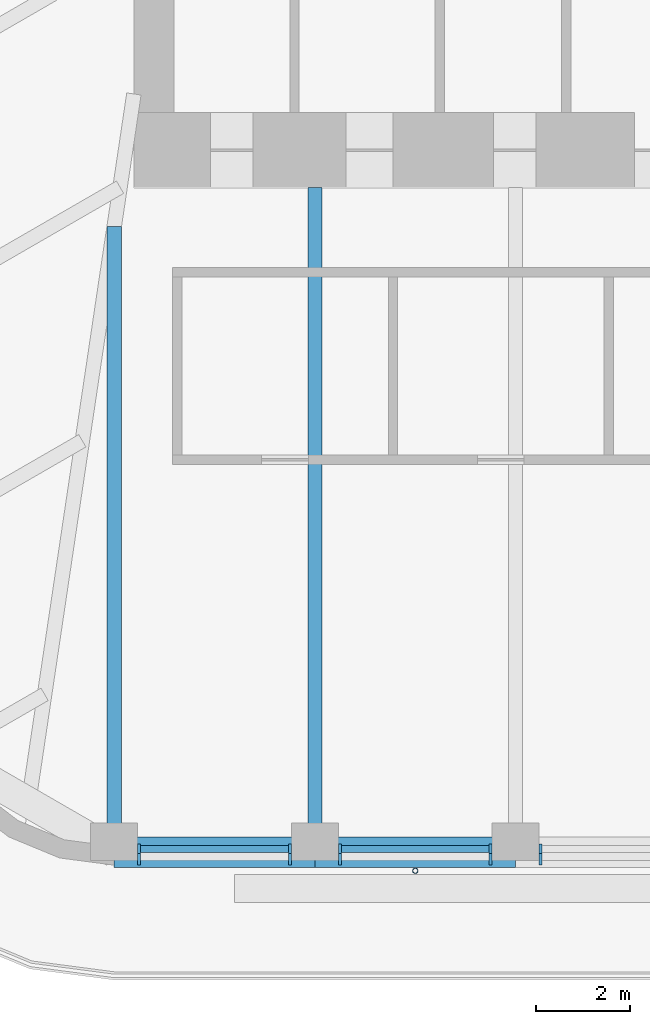
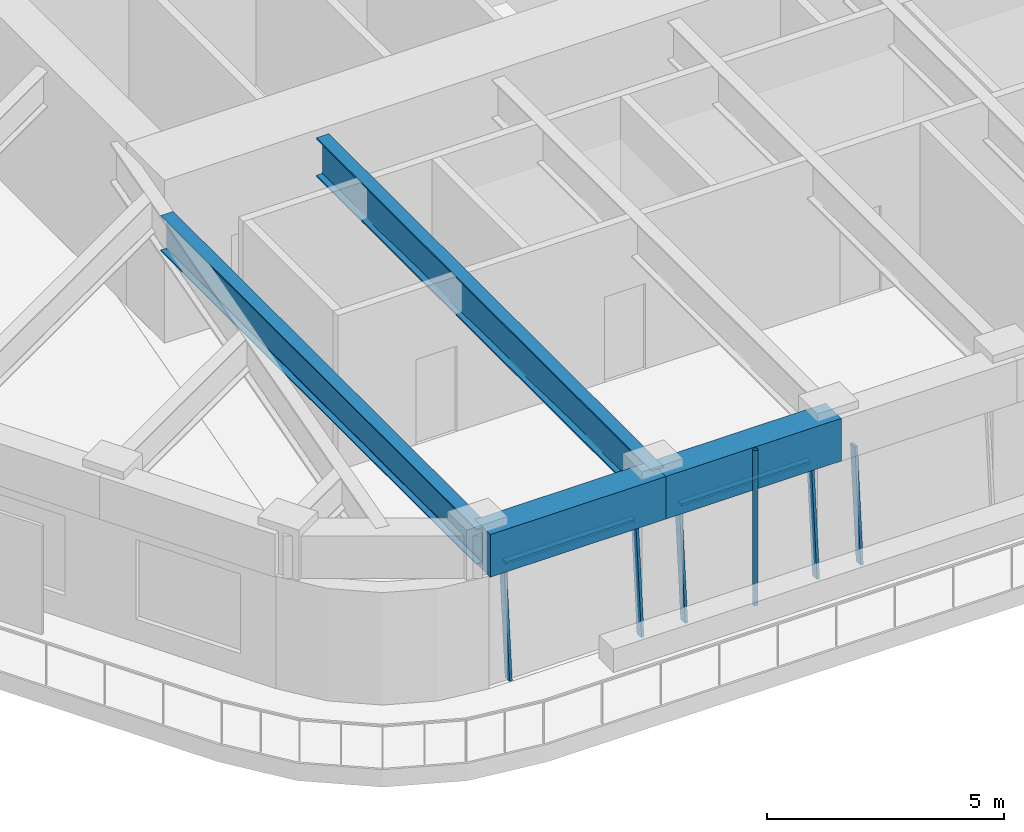
# One storey, part 2 of 19: 8 members, 4 beams, 3 elements without a shape of their own.
"""IFC4 building model written with IfcOpenShell, lengths in metres."""

import ifcopenshell
import ifcopenshell.guid

model = None  # the IFC model being written
_history = None  # IfcOwnerHistory: only IFC2X3 demands one
_inside = {}  # id of a spatial element -> (the spatial element, [elements in it])
_under = {}  # id of a project, library or spatial element -> (it, [spatial elements below it])
_declared = {}  # id of a project -> (the project, [libraries it declares])
_typed = {}  # id of a type object -> (the type object, [elements of that type])
_made_of = {}  # id of a material, layer set ... -> (it, [elements and type objects made of it])


def new_model(schema):
    """Start an empty IFC model of exactly this schema.

    Asked for "IFC4X3", IfcOpenShell would pick the latest addendum, in which some entities
    have other attributes; the version numbers below select the first issue.
    IFC2X3 requires an IfcOwnerHistory on every rooted entity: one is made here for all.
    """
    global model, _history
    if schema == "IFC4X3":
        model = ifcopenshell.file(schema_version=(4, 3, 0, 0))
    else:
        model = ifcopenshell.file(schema=schema)
    _inside.clear()
    _under.clear()
    _declared.clear()
    _typed.clear()
    _made_of.clear()
    _history = None
    if model.schema == "IFC2X3":
        org = make("IfcOrganization", Name="unknown")
        user = make(
            "IfcPersonAndOrganization",
            ThePerson=make("IfcPerson", FamilyName="unknown"),
            TheOrganization=org,
        )
        app = make(
            "IfcApplication",
            ApplicationDeveloper=org,
            Version="unknown",
            ApplicationFullName="unknown",
            ApplicationIdentifier="unknown",
        )
        _history = make(
            "IfcOwnerHistory",
            OwningUser=user,
            OwningApplication=app,
            ChangeAction="ADDED",
            CreationDate=0,
        )
    return model


def make(cls, **values):
    """One entity of the class cls with the attributes given. An attribute that is None is left unset."""
    return model.create_entity(
        cls, **{name: value for name, value in values.items() if value is not None}
    )


def rooted(cls, **values):
    """An entity with a GlobalId (a new one), such as an element, a storey or a relation."""
    return make(cls, GlobalId=ifcopenshell.guid.new(), OwnerHistory=_history, **values)


def si_unit(unit_type, name, prefix=None):
    """IfcSIUnit, for example si_unit("LENGTHUNIT", "METRE", prefix="MILLI")."""
    return make("IfcSIUnit", UnitType=unit_type, Prefix=prefix, Name=name)


def assignment(units):
    """IfcUnitAssignment: the units of a project."""
    return None if units is None else make("IfcUnitAssignment", Units=units)


def point(xyz):
    """IfcCartesianPoint."""
    return None if xyz is None else make("IfcCartesianPoint", Coordinates=xyz)


def direction(xyz):
    """IfcDirection."""
    return None if xyz is None else make("IfcDirection", DirectionRatios=xyz)


def frame(location, z_axis=None, x_axis=None):
    """IfcAxis2Placement3D, a coordinate frame: its origin and axes. An axis left out is left unset."""
    return make(
        "IfcAxis2Placement3D",
        Location=point(location),
        Axis=direction(z_axis),
        RefDirection=direction(x_axis),
    )


def frame_2d(location, x_axis=None):
    """IfcAxis2Placement2D, a coordinate frame in the plane: its origin and x axis."""
    return make(
        "IfcAxis2Placement2D", Location=point(location), RefDirection=direction(x_axis)
    )


def origin():
    """The frame at (0, 0, 0) with its axes left unset."""
    return frame((0.0, 0.0, 0.0))


def origin_2d():
    """The frame at (0, 0) in the plane with its x axis left unset."""
    return frame_2d((0.0, 0.0))


def place(relative_to, where):
    """IfcLocalPlacement: puts the frame where relative to a parent placement (None: the world)."""
    return make(
        "IfcLocalPlacement", PlacementRelTo=relative_to, RelativePlacement=where
    )


def context(
    kind, dimensions, precision=None, world=None, true_north=None, identifier=None
):
    """IfcGeometricRepresentationContext, for example the 3D "Model" context."""
    return make(
        "IfcGeometricRepresentationContext",
        ContextIdentifier=identifier,
        ContextType=kind,
        CoordinateSpaceDimension=dimensions,
        Precision=precision,
        WorldCoordinateSystem=world,
        TrueNorth=true_north,
    )


def subcontext(parent, identifier, kind, view, scale=None):
    """IfcGeometricRepresentationSubContext, for example "Body" below "Model"."""
    return make(
        "IfcGeometricRepresentationSubContext",
        ContextIdentifier=identifier,
        ContextType=kind,
        ParentContext=parent,
        TargetScale=scale,
        TargetView=view,
    )


def project(units=None, contexts=None):
    """IfcProject with its units and contexts."""
    return rooted(
        "IfcProject",
        Name="project",
        RepresentationContexts=contexts,
        UnitsInContext=assignment(units),
    )


def spatial(cls, under=None, at=None, **own):
    """A site, building, storey or space (cls), placed at a placement, below another one or the project."""
    s = rooted(cls, ObjectPlacement=at, **own)
    if under is not None:
        _under.setdefault(under.id(), (under, []))[1].append(s)
    return s


def profile(cls, at=None, kind="AREA", **sizes):
    """A parametric profile (cls). Its sizes go by their IFC names, for example OverallWidth=200.0."""
    return make(cls, ProfileType=kind, Position=at, **sizes)


def rectangle(**sizes):
    """IfcRectangleProfileDef."""
    return profile("IfcRectangleProfileDef", **sizes)


def hollow_circle(**sizes):
    """IfcCircleHollowProfileDef."""
    return profile("IfcCircleHollowProfileDef", **sizes)


def i_section(**sizes):
    """IfcIShapeProfileDef."""
    return profile("IfcIShapeProfileDef", **sizes)


def extrude(swept, where, along, depth):
    """IfcExtrudedAreaSolid: the profile swept, set in the frame where, extruded along a direction by depth."""
    return make(
        "IfcExtrudedAreaSolid",
        SweptArea=swept,
        Position=where,
        ExtrudedDirection=direction(along),
        Depth=depth,
    )


def shape(context_of_items, identifier, shape_type, items):
    """IfcShapeRepresentation: the items that make up one representation, for example the "Body"."""
    return make(
        "IfcShapeRepresentation",
        ContextOfItems=context_of_items,
        RepresentationIdentifier=identifier,
        RepresentationType=shape_type,
        Items=items,
    )


def material(Name=None, Category=None):
    """IfcMaterial."""
    return make("IfcMaterial", Name=Name, Category=Category)


def material_profile(
    of_material, cross_section, Name=None, Category=None, Priority=None
):
    """IfcMaterialProfile: a cross section and its material."""
    return make(
        "IfcMaterialProfile",
        Name=Name,
        Material=of_material,
        Profile=cross_section,
        Priority=Priority,
        Category=Category,
    )


def profile_set(profiles, Name=None, composite=None):
    """IfcMaterialProfileSet."""
    return make(
        "IfcMaterialProfileSet",
        Name=Name,
        MaterialProfiles=profiles,
        CompositeProfile=composite,
    )


def made_of(thing, what):
    """Note that an element or type object is made of a material, layer set ...; save() writes the relation."""
    if what is not None:
        _made_of.setdefault(what.id(), (what, []))[1].append(thing)
    return thing


def type_object(cls, material=None, **own):
    """A type object (cls), such as IfcWallType, which elements share."""
    return made_of(rooted(cls, **own), material)


def element(
    cls,
    number,
    at=None,
    inside=None,
    cuts=None,
    type_object=None,
    material=None,
    context=None,
    identifier="Body",
    shape_type=None,
    held_by="IfcProductDefinitionShape",
    body=None,
    shapes=None,
    **own,
):
    """One element of the class cls, such as IfcWall. Its Tag is "e" and its number.

    at: its placement. inside: the storey or other place that contains it. cuts: it is an
    opening in that element (IfcRelVoidsElement). A single representation is given by context,
    identifier, shape_type and body (its items); several are given by shapes. held_by: the class
    of the entity that holds the representations. save() writes the other relations.
    """
    e = rooted(cls, Tag="e%d" % number, ObjectPlacement=at, **own)
    if body is not None:
        shapes = [shape(context, identifier, shape_type, body)]
    if shapes is not None:
        e.Representation = make(held_by, Representations=shapes)
    if inside is not None:
        _inside.setdefault(inside.id(), (inside, []))[1].append(e)
    if cuts is not None:
        rooted(
            "IfcRelVoidsElement", RelatingBuildingElement=cuts, RelatedOpeningElement=e
        )
    if type_object is not None:
        _typed.setdefault(type_object.id(), (type_object, []))[1].append(e)
    return made_of(e, material)


def aggregate(whole, parts):
    """IfcRelAggregates: a whole, such as a stair, and the parts it consists of."""
    return rooted("IfcRelAggregates", RelatingObject=whole, RelatedObjects=parts)


def save(model, path):
    """Write the relations noted so far, then the file.

    IfcRelAggregates (storeys below a building ...), IfcRelContainedInSpatialStructure (elements
    in a storey), IfcRelDefinesByType, IfcRelAssociatesMaterial and IfcRelDeclares: one each for
    every whole, place, type object, material and project.
    """
    for whole, parts in _under.values():
        aggregate(whole, parts)
    for where, things in _inside.values():
        rooted(
            "IfcRelContainedInSpatialStructure",
            RelatedElements=things,
            RelatingStructure=where,
        )
    for kind, things in _typed.values():
        rooted("IfcRelDefinesByType", RelatedObjects=things, RelatingType=kind)
    for what, things in _made_of.values():
        rooted("IfcRelAssociatesMaterial", RelatedObjects=things, RelatingMaterial=what)
    for by, libraries in _declared.values():
        rooted("IfcRelDeclares", RelatingContext=by, RelatedDefinitions=libraries)
    model.write(path)


model = new_model("IFC4")

# Units and contexts
model_context = context("Model", 3, precision=1e-05, world=origin(), true_north=direction((0.0, 1.0)))
body_context = subcontext(model_context, "Body", "Model", "MODEL_VIEW")
ifc_project = project(units=[si_unit("LENGTHUNIT", "METRE"), si_unit("AREAUNIT", "SQUARE_METRE"), si_unit("VOLUMEUNIT", "CUBIC_METRE"), si_unit("PLANEANGLEUNIT", "RADIAN"), si_unit("MASSUNIT", "GRAM", prefix="KILO")], contexts=[model_context])

# Site, building, storey
site_placement = place(None, origin())
site = spatial("IfcSite", under=ifc_project, at=site_placement, CompositionType="ELEMENT")
building_placement = place(site_placement, origin())
building = spatial("IfcBuilding", under=site, at=building_placement, Name="Tarfa Lantern Tower", CompositionType="ELEMENT")
storey_placement = place(building_placement, frame((0.0, 0.0, 336.699951171875)))
storey = spatial("IfcBuildingStorey", under=building, at=storey_placement, Name="L76", CompositionType="ELEMENT", Elevation=336.699951171875)

# Curtain wall, members
ifc_material_1 = material(Name="Aluminium framed curtain wall", Category="aluminium")
curtain_wall_type = type_object("IfcCurtainWallType", Name="CW4 CANTED GLAZING EXECUTIVE ZONE 2900", PredefinedType="USERDEFINED", material=ifc_material_1)
curtain_wall_1_placement = place(storey_placement, origin())
curtain_wall_1 = element("IfcCurtainWall", 1, at=curtain_wall_1_placement, inside=storey, type_object=curtain_wall_type, Name="CW4 S L76", ObjectType="CURTAIN WALL", PredefinedType="USERDEFINED")
ifc_material_2 = material(Name="Aluminium mullion", Category="aluminium")
ifc_material_profile_1 = material_profile(ifc_material_2, rectangle(XDim=0.06494140625, YDim=0.199951171875, at=origin_2d()), Name="AL MULLION 65x200")
ifc_profile_set_1 = profile_set([ifc_material_profile_1], Name="Aluminium mullion")
member_type_1 = type_object("IfcMemberType", Name="CWM1 MULLION 65x200", PredefinedType="MULLION", material=ifc_profile_set_1)
member_1_placement = place(storey_placement, frame((-12.3134765625, -26.64990234375, 0.0), z_axis=(0.0, 0.085884035992, 0.996305140186), x_axis=(-1.0, 0.0, 0.0)))
member_1 = element("IfcMember", 2, at=member_1_placement, type_object=member_type_1, Name="CW4 mullion 1", PredefinedType="MULLION", context=body_context, shape_type="SweptSolid", body=[
    extrude(rectangle(XDim=0.06494140625, YDim=0.199951171875, at=origin_2d()), origin(), (0.0, 0.0, 1.0), 2.910888671875),
])
member_2_placement = place(storey_placement, frame((-9.096435546875, -26.64990234375, 0.0), z_axis=(0.0, 0.085884035992, 0.996305140186), x_axis=(-1.0, 0.0, 0.0)))
member_2 = element("IfcMember", 3, at=member_2_placement, type_object=member_type_1, Name="CW4 mullion 2", PredefinedType="MULLION", context=body_context, shape_type="SweptSolid", body=[
    extrude(rectangle(XDim=0.06494140625, YDim=0.199951171875, at=origin_2d()), origin(), (0.0, 0.0, 1.0), 2.910888671875),
])

curtain_wall_2_placement = place(storey_placement, origin())
curtain_wall_2 = element("IfcCurtainWall", 4, at=curtain_wall_2_placement, inside=storey, type_object=curtain_wall_type, Name="CW4 S L76", ObjectType="CURTAIN WALL", PredefinedType="USERDEFINED")
member_3_placement = place(storey_placement, frame((-8.031494140625, -26.64990234375, 0.0), z_axis=(0.0, 0.085884035992, 0.996305140186), x_axis=(-1.0, 0.0, 0.0)))
member_3 = element("IfcMember", 5, at=member_3_placement, type_object=member_type_1, Name="CW4 mullion 1", PredefinedType="MULLION", context=body_context, shape_type="SweptSolid", body=[
    extrude(rectangle(XDim=0.06494140625, YDim=0.199951171875, at=origin_2d()), origin(), (0.0, 0.0, 1.0), 2.910888671875),
])
member_4_placement = place(storey_placement, frame((-4.814453125, -26.64990234375, 0.0), z_axis=(0.0, 0.085884035992, 0.996305140186), x_axis=(-1.0, 0.0, 0.0)))
member_4 = element("IfcMember", 6, at=member_4_placement, type_object=member_type_1, Name="CW4 mullion 2", PredefinedType="MULLION", context=body_context, shape_type="SweptSolid", body=[
    extrude(rectangle(XDim=0.06494140625, YDim=0.199951171875, at=origin_2d()), origin(), (0.0, 0.0, 1.0), 2.910888671875),
])

# Curtain wall, member
curtain_wall_3_placement = place(storey_placement, origin())
curtain_wall_3 = element("IfcCurtainWall", 7, at=curtain_wall_3_placement, inside=storey, type_object=curtain_wall_type, Name="CW4 S L76", ObjectType="CURTAIN WALL", PredefinedType="USERDEFINED")
member_5_placement = place(storey_placement, frame((-3.74951171875, -26.64990234375, 0.0), z_axis=(0.0, 0.085884035992, 0.996305140186), x_axis=(-1.0, 0.0, 0.0)))
member_5 = element("IfcMember", 8, at=member_5_placement, type_object=member_type_1, Name="CW4 mullion 1", PredefinedType="MULLION", context=body_context, shape_type="SweptSolid", body=[
    extrude(rectangle(XDim=0.06494140625, YDim=0.199951171875, at=origin_2d()), origin(), (0.0, 0.0, 1.0), 2.910888671875),
])
aggregate(curtain_wall_3, [member_5])

# Member
ifc_material_3 = material(Name="Aluminium transom", Category="aluminium")
ifc_material_profile_2 = material_profile(ifc_material_3, rectangle(XDim=0.14990234375, YDim=0.06494140625, at=origin_2d()), Name="AL TRANSOM 150x65")
ifc_profile_set_2 = profile_set([ifc_material_profile_2], Name="Aluminium transom")
member_type_2 = type_object("IfcMemberType", Name="CWT1 TRANSOM 150x65", PredefinedType="USERDEFINED", material=ifc_profile_set_2)
member_6_placement = place(storey_placement, frame((-12.281005859375, -26.40283203125, 2.867431640625), z_axis=(1.0, 0.0, 0.0), x_axis=(0.0, 1.0, 0.0)))
member_6 = element("IfcMember", 9, at=member_6_placement, type_object=member_type_2, Name="CW4 transom 1.2", ObjectType="TRANSOM", PredefinedType="USERDEFINED", context=body_context, shape_type="SweptSolid", body=[
    extrude(rectangle(XDim=0.14990234375, YDim=0.06494140625, at=origin_2d()), origin(), (0.0, 0.0, 1.0), 3.15185546875),
])

aggregate(curtain_wall_1, [member_1, member_2, member_6])

member_7_placement = place(storey_placement, frame((-7.9990234375, -26.40283203125, 2.867431640625), z_axis=(1.0, 0.0, 0.0), x_axis=(0.0, 1.0, 0.0)))
member_7 = element("IfcMember", 10, at=member_7_placement, type_object=member_type_2, Name="CW4 transom 1.2", ObjectType="TRANSOM", PredefinedType="USERDEFINED", context=body_context, shape_type="SweptSolid", body=[
    extrude(rectangle(XDim=0.14990234375, YDim=0.06494140625, at=origin_2d()), origin(), (0.0, 0.0, 1.0), 3.152099609375),
])

aggregate(curtain_wall_2, [member_3, member_4, member_7])

# Beams
ifc_material_4 = material(Name="Concrete C80/95", Category="concrete")
ifc_material_profile_3 = material_profile(ifc_material_4, rectangle(XDim=0.64990234375, YDim=1.10009765625, at=origin_2d()), Name="RC 650x1100")
ifc_profile_set_3 = profile_set([ifc_material_profile_3], Name="Concrete C80/95")
beam_type_1 = type_object("IfcBeamType", Name="EB4 RC 650x1100", PredefinedType="SPANDREL", material=ifc_profile_set_3)
for number, where, z_axis, x_axis, name in (
    (11, (-12.845947265625, -26.469970703125, 3.449951171875), (1.0, 0.0, 0.0), (0.0, 1.0, 0.0), "Edge beam S0"),
    (12, (-8.56396484375, -26.469970703125, 3.449951171875), (1.0, 0.0, 0.0), (0.0, 1.0, 0.0), "Edge beam S1"),
):
    element("IfcBeam", number, at=place(storey_placement, frame(where, z_axis=z_axis, x_axis=x_axis)), inside=storey, type_object=beam_type_1, Name=name, PredefinedType="SPANDREL", context=body_context, shape_type="SweptSolid", body=[
        extrude(rectangle(XDim=0.64990234375, YDim=1.10009765625, at=origin_2d()), origin(), (0.0, 0.0, 1.0), 4.281982421875),
    ])

# Member
ifc_material_5 = material(Name="Steel S355", Category="steel")
ifc_material_profile_4 = material_profile(ifc_material_5, hollow_circle(Radius=0.05712890625, WallThickness=0.00634765625, at=origin_2d()), Name="CHS114.3x6.3")
ifc_profile_set_4 = profile_set([ifc_material_profile_4], Name="Steel S355")
member_type_3 = type_object("IfcMemberType", Name="TR1 GREEN WALL TRELLIS CHS114.3x6.3", PredefinedType="USERDEFINED", material=ifc_profile_set_4)
member_8_placement = place(storey_placement, frame((-6.423095703125, -26.8701171875, 0.0), z_axis=(0.0, 0.0, 1.0), x_axis=(1.0, 0.0, 0.0)))
element("IfcMember", 13, at=member_8_placement, inside=storey, type_object=member_type_3, Name="Trellis post S 1", ObjectType="TRELLIS", PredefinedType="USERDEFINED", context=body_context, shape_type="SweptSolid", body=[
    extrude(hollow_circle(Radius=0.05712890625, WallThickness=0.00634765625, at=origin_2d()), origin(), (0.0, 0.0, 1.0), 4.0),
])

# Beams
ifc_material_6 = material(Name="Steel S460M", Category="steel")
ifc_material_profile_5 = material_profile(ifc_material_6, i_section(OverallWidth=0.302001953125, OverallDepth=1.008056640625, WebThickness=0.02099609375, FlangeThickness=0.0400390625, FilletRadius=0.030029296875, at=origin_2d()), Name="UB1016x305x349")
ifc_profile_set_5 = profile_set([ifc_material_profile_5], Name="Steel S460M")
beam_type_2 = type_object("IfcBeamType", Name="UB1016x305x349", PredefinedType="BEAM", material=ifc_profile_set_5)
beam_1_placement = place(storey_placement, frame((-8.56396484375, -26.469970703125, 3.49609375), z_axis=(0.0, 1.0, 0.0), x_axis=(-1.0, 0.0, 0.0)))
element("IfcBeam", 14, at=beam_1_placement, inside=storey, type_object=beam_type_2, Name="Floor beam S1", PredefinedType="BEAM", context=body_context, shape_type="SweptSolid", body=[
    extrude(i_section(OverallWidth=0.302001953125, OverallDepth=1.008056640625, WebThickness=0.02099609375, FlangeThickness=0.0400390625, FilletRadius=0.030029296875, at=origin_2d()), origin(), (0.0, 0.0, 1.0), 14.169921875),
])
ifc_material_profile_6 = material_profile(ifc_material_6, i_section(OverallWidth=0.305419921875, OverallDepth=0.91845703125, WebThickness=0.017333984375, FlangeThickness=0.02783203125, FilletRadius=0.01904296875, at=origin_2d()), Name="UB914x305x253")
ifc_profile_set_6 = profile_set([ifc_material_profile_6], Name="Steel S460M")
beam_type_3 = type_object("IfcBeamType", Name="UB914x305x253", PredefinedType="BEAM", material=ifc_profile_set_6)
beam_2_placement = place(storey_placement, frame((-12.845947265625, -26.469970703125, 3.540771484375), z_axis=(0.0, 1.0, 0.0), x_axis=(-1.0, 0.0, 0.0)))
element("IfcBeam", 15, at=beam_2_placement, inside=storey, type_object=beam_type_3, Name="Floor beam S0", PredefinedType="BEAM", context=body_context, shape_type="SweptSolid", body=[
    extrude(i_section(OverallWidth=0.305419921875, OverallDepth=0.91845703125, WebThickness=0.017333984375, FlangeThickness=0.02783203125, FilletRadius=0.01904296875, at=origin_2d()), origin(), (0.0, 0.0, 1.0), 13.33935546875),
])

save(model, "model.ifc")
